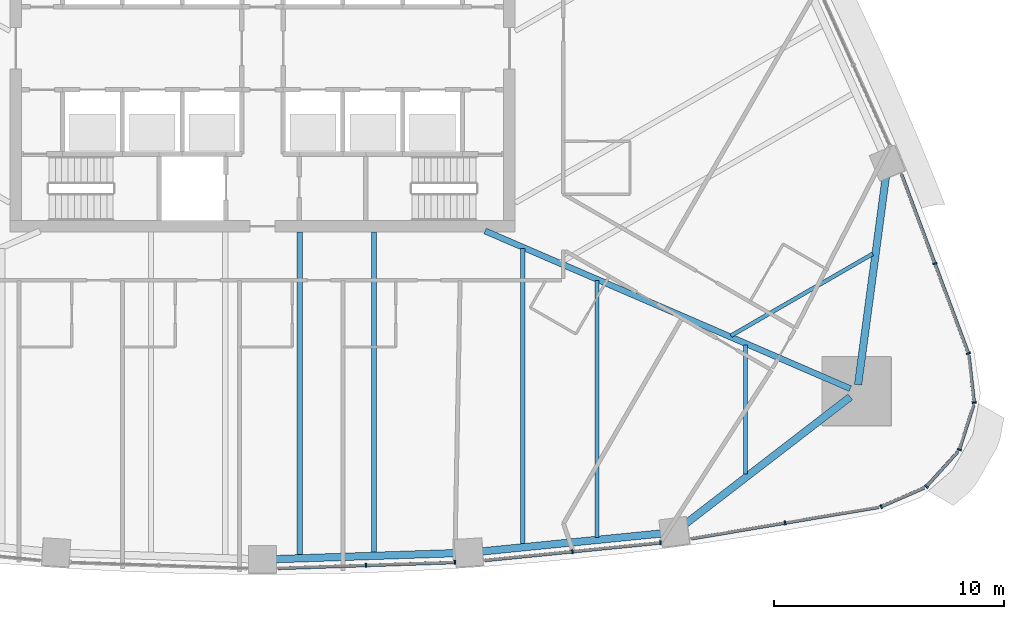
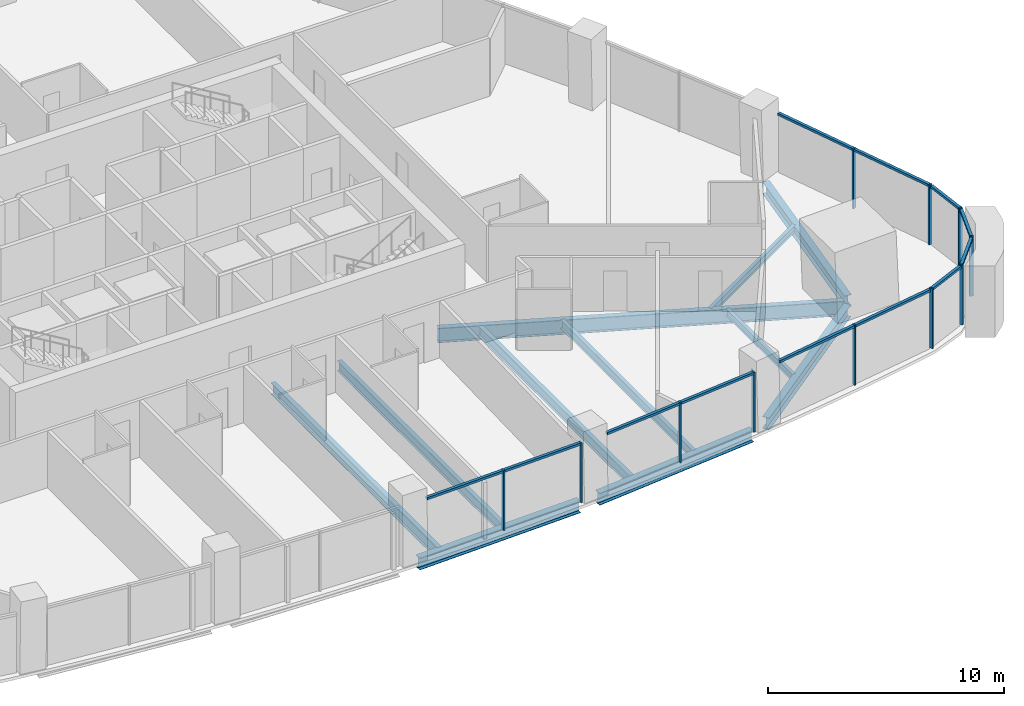
# One storey, part 4 of 17: 23 members, 11 beams, 8 elements without a shape of their own.
"""IFC4 building model written with IfcOpenShell, lengths in metres."""

from ifc_helpers import new_model, si_unit, direction, frame, origin, origin_2d, place, context, subcontext, project, spatial, rectangle, i_section, extrude, material, layer, layer_set, material_profile, profile_set, type_object, element, aggregate, save


model = new_model("IFC4")

# Units and contexts
model_context = context("Model", 3, precision=1e-05, world=origin(), true_north=direction((0.0, 1.0)))
body_context = subcontext(model_context, "Body", "Model", "MODEL_VIEW")
ifc_project = project(units=[si_unit("LENGTHUNIT", "METRE"), si_unit("AREAUNIT", "SQUARE_METRE"), si_unit("VOLUMEUNIT", "CUBIC_METRE"), si_unit("PLANEANGLEUNIT", "RADIAN"), si_unit("MASSUNIT", "GRAM", prefix="KILO")], contexts=[model_context])

# Site, building, storey
site_placement = place(None, origin())
site = spatial("IfcSite", under=ifc_project, at=site_placement, CompositionType="ELEMENT")
building_placement = place(site_placement, origin())
building = spatial("IfcBuilding", under=site, at=building_placement, Name="Sierra Prisma Convention Tower", CompositionType="ELEMENT")
storey_placement = place(building_placement, frame((0.0, 0.0, 92.39990234375)))
storey = spatial("IfcBuildingStorey", under=building, at=storey_placement, Name="L19", CompositionType="ELEMENT", Elevation=92.39990234375)

# Curtain wall, members
ifc_material_1 = material(Name="Aluminium and glass curtain wall", Category="aluminium")
ifc_layer = layer(ifc_material_1, 0.179931640625)
ifc_layer_set = layer_set([ifc_layer], Name="CW-1 Plain shaft curtain wall")
curtain_wall_type = type_object("IfcCurtainWallType", Name="CW-1 Plain shaft curtain wall", PredefinedType="NOTDEFINED", material=ifc_layer_set)
curtain_wall_1_placement = place(storey_placement, origin())
curtain_wall_1 = element("IfcCurtainWall", 1, at=curtain_wall_1_placement, inside=storey, type_object=curtain_wall_type, Name="CW-1 S4 L19", PredefinedType="NOTDEFINED")
ifc_material_2 = material(Name="Aluminium 6063-T6 bronze anodised", Category="aluminium")
ifc_material_profile_1 = material_profile(ifc_material_2, rectangle(XDim=0.179931640625, YDim=0.070068359375, at=origin_2d()), Name="ALU MULLION 70x180")
ifc_profile_set_1 = profile_set([ifc_material_profile_1], Name="Aluminium 6063-T6 bronze anodised")
member_type_1 = type_object("IfcMemberType", Name="CW mullion bronze", PredefinedType="MULLION", material=ifc_profile_set_1)
member_1_placement = place(storey_placement, frame((4.50341796875, -22.505859375, 0.0), z_axis=(0.0, 0.0, 1.0), x_axis=(-0.033231080162, 0.999447695135, 0.0)))
member_1 = element("IfcMember", 2, at=member_1_placement, type_object=member_type_1, Name="CW-1 mullion S4.2", PredefinedType="MULLION", context=body_context, shape_type="SweptSolid", body=[
    extrude(rectangle(XDim=0.179931640625, YDim=0.070068359375, at=origin_2d()), origin(), (0.0, 0.0, 1.0), 3.10009765625),
])
member_2_placement = place(storey_placement, frame((8.3720703125, -22.37744140625, 0.0), z_axis=(0.0, 0.0, 1.0), x_axis=(-0.033231080162, 0.999447695135, 0.0)))
member_2 = element("IfcMember", 3, at=member_2_placement, type_object=member_type_1, Name="CW-1 mullion S4.3", PredefinedType="MULLION", context=body_context, shape_type="SweptSolid", body=[
    extrude(rectangle(XDim=0.179931640625, YDim=0.070068359375, at=origin_2d()), origin(), (0.0, 0.0, 1.0), 3.10009765625),
])

curtain_wall_2_placement = place(storey_placement, origin())
curtain_wall_2 = element("IfcCurtainWall", 4, at=curtain_wall_2_placement, inside=storey, type_object=curtain_wall_type, Name="CW-1 S5 L19", PredefinedType="NOTDEFINED")
member_3_placement = place(storey_placement, frame((13.48681640625, -21.908935546875, 0.0), z_axis=(0.0, 0.0, 1.0), x_axis=(-0.099546451535, 0.995032916032, 0.0)))
member_3 = element("IfcMember", 5, at=member_3_placement, type_object=member_type_1, Name="CW-1 mullion S5.2", PredefinedType="MULLION", context=body_context, shape_type="SweptSolid", body=[
    extrude(rectangle(XDim=0.179931640625, YDim=0.070068359375, at=origin_2d()), origin(), (0.0, 0.0, 1.0), 3.10009765625),
])
member_4_placement = place(storey_placement, frame((17.322509765625, -21.525146484375, 0.0), z_axis=(0.0, 0.0, 1.0), x_axis=(-0.099546451535, 0.995032916032, 0.0)))
member_4 = element("IfcMember", 6, at=member_4_placement, type_object=member_type_1, Name="CW-1 mullion S5.3", PredefinedType="MULLION", context=body_context, shape_type="SweptSolid", body=[
    extrude(rectangle(XDim=0.179931640625, YDim=0.070068359375, at=origin_2d()), origin(), (0.0, 0.0, 1.0), 3.10009765625),
])

# Curtain wall, member
curtain_wall_3_placement = place(storey_placement, origin())
curtain_wall_3 = element("IfcCurtainWall", 7, at=curtain_wall_3_placement, inside=storey, type_object=curtain_wall_type, Name="CW-1 S6 L19", PredefinedType="NOTDEFINED")
member_5_placement = place(storey_placement, frame((22.745361328125, -20.661376953125, 0.0), z_axis=(0.0, 0.0, 1.0), x_axis=(-0.165422104456, 0.98622285887, 0.0)))
member_5 = element("IfcMember", 8, at=member_5_placement, type_object=member_type_1, Name="CW-1 mullion S6.2", PredefinedType="MULLION", context=body_context, shape_type="SweptSolid", body=[
    extrude(rectangle(XDim=0.179931640625, YDim=0.070068359375, at=origin_2d()), origin(), (0.0, 0.0, 1.0), 3.10009765625),
])

curtain_wall_4_placement = place(storey_placement, origin())
curtain_wall_4 = element("IfcCurtainWall", 9, at=curtain_wall_4_placement, inside=storey, type_object=curtain_wall_type, Name="CW-1 SE1 L19", PredefinedType="NOTDEFINED")
member_6_placement = place(storey_placement, frame((26.931640625, -19.95068359375, 0.0), z_axis=(0.0, 0.0, 1.0), x_axis=(-0.399862462379, 0.916575153045, 0.0)))
member_6 = element("IfcMember", 10, at=member_6_placement, type_object=member_type_1, Name="CW-1 mullion SE1.1", PredefinedType="MULLION", context=body_context, shape_type="SweptSolid", body=[
    extrude(rectangle(XDim=0.179931640625, YDim=0.070068359375, at=origin_2d()), origin(), (0.0, 0.0, 1.0), 3.10009765625),
])

curtain_wall_5_placement = place(storey_placement, origin())
curtain_wall_5 = element("IfcCurtainWall", 11, at=curtain_wall_5_placement, inside=storey, type_object=curtain_wall_type, Name="CW-1 SE2 L19", PredefinedType="NOTDEFINED")
member_7_placement = place(storey_placement, frame((28.89794921875, -19.0771484375, 0.0), z_axis=(0.0, 0.0, 1.0), x_axis=(-0.741466941784, 0.6709893995, 0.0)))
member_7 = element("IfcMember", 12, at=member_7_placement, type_object=member_type_1, Name="CW-1 mullion SE2.1", PredefinedType="MULLION", context=body_context, shape_type="SweptSolid", body=[
    extrude(rectangle(XDim=0.179931640625, YDim=0.070068359375, at=origin_2d()), origin(), (0.0, 0.0, 1.0), 3.10009765625),
])

curtain_wall_6_placement = place(storey_placement, origin())
curtain_wall_6 = element("IfcCurtainWall", 13, at=curtain_wall_6_placement, inside=storey, type_object=curtain_wall_type, Name="CW-1 SE3 L19", PredefinedType="NOTDEFINED")
member_8_placement = place(storey_placement, frame((30.3310546875, -17.47216796875, 0.0), z_axis=(0.0, 0.0, 1.0), x_axis=(-0.951827336529, 0.306634507902, 0.0)))
member_8 = element("IfcMember", 14, at=member_8_placement, type_object=member_type_1, Name="CW-1 mullion SE3.1", PredefinedType="MULLION", context=body_context, shape_type="SweptSolid", body=[
    extrude(rectangle(XDim=0.179931640625, YDim=0.070068359375, at=origin_2d()), origin(), (0.0, 0.0, 1.0), 3.10009765625),
])

curtain_wall_7_placement = place(storey_placement, origin())
curtain_wall_7 = element("IfcCurtainWall", 15, at=curtain_wall_7_placement, inside=storey, type_object=curtain_wall_type, Name="CW-1 SE4 L19", PredefinedType="NOTDEFINED")
member_9_placement = place(storey_placement, frame((30.97705078125, -15.419677734375, 0.0), z_axis=(0.0, 0.0, 1.0), x_axis=(-0.993708598204, -0.111996526083, 0.0)))
member_9 = element("IfcMember", 16, at=member_9_placement, type_object=member_type_1, Name="CW-1 mullion SE4.1", PredefinedType="MULLION", context=body_context, shape_type="SweptSolid", body=[
    extrude(rectangle(XDim=0.179931640625, YDim=0.070068359375, at=origin_2d()), origin(), (0.0, 0.0, 1.0), 3.10009765625),
])

# Curtain wall, members
curtain_wall_8_placement = place(storey_placement, origin())
curtain_wall_8 = element("IfcCurtainWall", 17, at=curtain_wall_8_placement, inside=storey, type_object=curtain_wall_type, Name="CW-1 NE1 L19", PredefinedType="NOTDEFINED")
member_10_placement = place(storey_placement, frame((30.727294921875, -13.280517578125, 0.0), z_axis=(0.0, 0.0, 1.0), x_axis=(-0.936805101802, -0.349851684629, 0.0)))
member_10 = element("IfcMember", 18, at=member_10_placement, type_object=member_type_1, Name="CW-1 mullion NE1.1", PredefinedType="MULLION", context=body_context, shape_type="SweptSolid", body=[
    extrude(rectangle(XDim=0.179931640625, YDim=0.070068359375, at=origin_2d()), origin(), (0.0, 0.0, 1.0), 3.10009765625),
])
member_11_placement = place(storey_placement, frame((29.265869140625, -9.3671875, 0.0), z_axis=(0.0, 0.0, 1.0), x_axis=(-0.936805101802, -0.349851684629, 0.0)))
member_11 = element("IfcMember", 19, at=member_11_placement, type_object=member_type_1, Name="CW-1 mullion NE1.2", PredefinedType="MULLION", context=body_context, shape_type="SweptSolid", body=[
    extrude(rectangle(XDim=0.179931640625, YDim=0.070068359375, at=origin_2d()), origin(), (0.0, 0.0, 1.0), 3.10009765625),
])

# Member
ifc_material_3 = material(Name="Aluminium 6063-T6 bronze anodised", Category="aluminium")
ifc_material_profile_2 = material_profile(ifc_material_3, rectangle(XDim=0.139892578125, YDim=0.1201171875, at=origin_2d()), Name="ALU TRANSOM 120x140")
ifc_profile_set_2 = profile_set([ifc_material_profile_2], Name="Aluminium 6063-T6 bronze anodised")
member_type_2 = type_object("IfcMemberType", Name="CW transom bronze", PredefinedType="USERDEFINED", material=ifc_profile_set_2)
member_12_placement = place(storey_placement, frame((0.669677734375, -22.633544921875, 3.0400390625), z_axis=(0.999446260739, 0.033274192626, 0.0), x_axis=(-0.033274192626, 0.999446260739, 0.0)))
member_12 = element("IfcMember", 20, at=member_12_placement, type_object=member_type_2, Name="CW-1 transom S4.1", ObjectType="TRANSOM", PredefinedType="USERDEFINED", context=body_context, shape_type="SweptSolid", body=[
    extrude(rectangle(XDim=0.139892578125, YDim=0.1201171875, at=origin_2d()), origin(), (0.0, 0.0, 1.0), 3.80078125),
])

member_13_placement = place(storey_placement, frame((4.538330078125, -22.5048828125, 3.0400390625), z_axis=(0.999446331852, 0.033272056549, 0.0), x_axis=(-0.033272056549, 0.999446331852, 0.0)))
member_13 = element("IfcMember", 21, at=member_13_placement, type_object=member_type_2, Name="CW-1 transom S4.2", ObjectType="TRANSOM", PredefinedType="USERDEFINED", context=body_context, shape_type="SweptSolid", body=[
    extrude(rectangle(XDim=0.139892578125, YDim=0.1201171875, at=origin_2d()), origin(), (0.0, 0.0, 1.0), 3.801025390625),
])

aggregate(curtain_wall_1, [member_1, member_2, member_12, member_13])

member_14_placement = place(storey_placement, frame((9.686279296875, -22.2890625, 3.0400390625), z_axis=(0.995033996238, 0.099535653562, 0.0), x_axis=(-0.099535653562, 0.995033996238, 0.0)))
member_14 = element("IfcMember", 22, at=member_14_placement, type_object=member_type_2, Name="CW-1 transom S5.1", ObjectType="TRANSOM", PredefinedType="USERDEFINED", context=body_context, shape_type="SweptSolid", body=[
    extrude(rectangle(XDim=0.139892578125, YDim=0.1201171875, at=origin_2d()), origin(), (0.0, 0.0, 1.0), 3.78466796875),
])

member_15_placement = place(storey_placement, frame((13.521728515625, -21.905517578125, 3.0400390625), z_axis=(0.995027605282, 0.099599521722, 0.0), x_axis=(-0.099599521722, 0.995027605282, 0.0)))
member_15 = element("IfcMember", 23, at=member_15_placement, type_object=member_type_2, Name="CW-1 transom S5.2", ObjectType="TRANSOM", PredefinedType="USERDEFINED", context=body_context, shape_type="SweptSolid", body=[
    extrude(rectangle(XDim=0.139892578125, YDim=0.1201171875, at=origin_2d()), origin(), (0.0, 0.0, 1.0), 3.78466796875),
])

aggregate(curtain_wall_2, [member_3, member_4, member_14, member_15])

member_16_placement = place(storey_placement, frame((18.66015625, -21.3466796875, 3.0400390625), z_axis=(0.986221481387, 0.165430316599, 0.0), x_axis=(-0.165430316599, 0.986221481387, 0.0)))
member_16 = element("IfcMember", 24, at=member_16_placement, type_object=member_type_2, Name="CW-1 transom S6.1", ObjectType="TRANSOM", PredefinedType="USERDEFINED", context=body_context, shape_type="SweptSolid", body=[
    extrude(rectangle(XDim=0.139892578125, YDim=0.1201171875, at=origin_2d()), origin(), (0.0, 0.0, 1.0), 4.107177734375),
])

member_17_placement = place(storey_placement, frame((22.77978515625, -20.655517578125, 3.0400390625), z_axis=(0.986223108037, 0.165420618953, 0.0), x_axis=(-0.165420618953, 0.986223108037, 0.0)))
member_17 = element("IfcMember", 25, at=member_17_placement, type_object=member_type_2, Name="CW-1 transom S6.2", ObjectType="TRANSOM", PredefinedType="USERDEFINED", context=body_context, shape_type="SweptSolid", body=[
    extrude(rectangle(XDim=0.139892578125, YDim=0.1201171875, at=origin_2d()), origin(), (0.0, 0.0, 1.0), 4.107421875),
])

aggregate(curtain_wall_3, [member_5, member_16, member_17])

member_18_placement = place(storey_placement, frame((26.963623046875, -19.9365234375, 3.0400390625), z_axis=(0.916612858934, 0.399776020838, 0.0), x_axis=(-0.399776020838, 0.916612858934, 0.0)))
member_18 = element("IfcMember", 26, at=member_18_placement, type_object=member_type_2, Name="CW-1 transom SE1.1", ObjectType="TRANSOM", PredefinedType="USERDEFINED", context=body_context, shape_type="SweptSolid", body=[
    extrude(rectangle(XDim=0.139892578125, YDim=0.1201171875, at=origin_2d()), origin(), (0.0, 0.0, 1.0), 2.0146484375),
])

aggregate(curtain_wall_4, [member_6, member_18])

member_19_placement = place(storey_placement, frame((28.92138671875, -19.051025390625, 3.0400390625), z_axis=(0.671024381323, 0.741435283535, 0.0), x_axis=(-0.741435283535, 0.671024381323, 0.0)))
member_19 = element("IfcMember", 27, at=member_19_placement, type_object=member_type_2, Name="CW-1 transom SE2.1", ObjectType="TRANSOM", PredefinedType="USERDEFINED", context=body_context, shape_type="SweptSolid", body=[
    extrude(rectangle(XDim=0.139892578125, YDim=0.1201171875, at=origin_2d()), origin(), (0.0, 0.0, 1.0), 2.0146484375),
])

aggregate(curtain_wall_5, [member_7, member_19])

member_20_placement = place(storey_placement, frame((30.341796875, -17.438720703125, 3.0400390625), z_axis=(0.306577887358, 0.951845575177, 0.0), x_axis=(-0.951845575177, 0.306577887358, 0.0)))
member_20 = element("IfcMember", 28, at=member_20_placement, type_object=member_type_2, Name="CW-1 transom SE3.1", ObjectType="TRANSOM", PredefinedType="USERDEFINED", context=body_context, shape_type="SweptSolid", body=[
    extrude(rectangle(XDim=0.139892578125, YDim=0.1201171875, at=origin_2d()), origin(), (0.0, 0.0, 1.0), 2.0146484375),
])

aggregate(curtain_wall_6, [member_8, member_20])

member_21_placement = place(storey_placement, frame((30.97314453125, -15.385009765625, 3.0400390625), z_axis=(-0.11196079324, 0.993712624845, 0.0), x_axis=(-0.993712624845, -0.11196079324, 0.0)))
member_21 = element("IfcMember", 29, at=member_21_placement, type_object=member_type_2, Name="CW-1 transom SE4.1", ObjectType="TRANSOM", PredefinedType="USERDEFINED", context=body_context, shape_type="SweptSolid", body=[
    extrude(rectangle(XDim=0.139892578125, YDim=0.1201171875, at=origin_2d()), origin(), (0.0, 0.0, 1.0), 2.014892578125),
])

aggregate(curtain_wall_7, [member_9, member_21])

member_22_placement = place(storey_placement, frame((30.715087890625, -13.247802734375, 3.0400390625), z_axis=(-0.349872414947, 0.936797359763, 0.0), x_axis=(-0.936797359763, -0.349872414947, 0.0)))
member_22 = element("IfcMember", 30, at=member_22_placement, type_object=member_type_2, Name="CW-1 transom NE1.1", ObjectType="TRANSOM", PredefinedType="USERDEFINED", context=body_context, shape_type="SweptSolid", body=[
    extrude(rectangle(XDim=0.139892578125, YDim=0.1201171875, at=origin_2d()), origin(), (0.0, 0.0, 1.0), 4.107177734375),
])

member_23_placement = place(storey_placement, frame((29.253662109375, -9.33447265625, 3.0400390625), z_axis=(-0.349872414947, 0.936797359763, 0.0), x_axis=(-0.936797359763, -0.349872414947, 0.0)))
member_23 = element("IfcMember", 31, at=member_23_placement, type_object=member_type_2, Name="CW-1 transom NE1.2", ObjectType="TRANSOM", PredefinedType="USERDEFINED", context=body_context, shape_type="SweptSolid", body=[
    extrude(rectangle(XDim=0.139892578125, YDim=0.1201171875, at=origin_2d()), origin(), (0.0, 0.0, 1.0), 4.107177734375),
])

aggregate(curtain_wall_8, [member_10, member_11, member_22, member_23])

# Beams
ifc_material_4 = material(Name="Steel ASTM A992 Gr 50", Category="steel")
ifc_material_profile_3 = material_profile(ifc_material_4, i_section(OverallWidth=0.172119140625, OverallDepth=0.35791015625, WebThickness=0.0078125, FlangeThickness=0.01318359375, at=origin_2d()), Name="W360x57")
ifc_profile_set_3 = profile_set([ifc_material_profile_3], Name="Steel ASTM A992 Gr 50")
beam_type_1 = type_object("IfcBeamType", Name="Floor joist W360x57", PredefinedType="JOIST", material=ifc_profile_set_3)
beam_1_placement = place(storey_placement, frame((21.031494140625, -18.52880859375, -0.328857421875), z_axis=(0.0, 1.0, 0.0), x_axis=(-1.0, 0.0, 0.0)))
element("IfcBeam", 32, at=beam_1_placement, inside=storey, type_object=beam_type_1, Name="Floor joist L19 S15", PredefinedType="JOIST", context=body_context, shape_type="SweptSolid", body=[
    extrude(i_section(OverallWidth=0.172119140625, OverallDepth=0.35791015625, WebThickness=0.0078125, FlangeThickness=0.01318359375, at=origin_2d()), origin(), (0.0, 0.0, 1.0), 5.621826171875),
])
beam_2_placement = place(storey_placement, frame((26.562255859375, -8.949462890625, -0.328857421875), z_axis=(-0.866025902152, -0.499999136801, 0.0), x_axis=(0.499999136801, -0.866025902152, 0.0)))
element("IfcBeam", 33, at=beam_2_placement, inside=storey, type_object=beam_type_1, Name="Floor joist L19 NE02", PredefinedType="JOIST", context=body_context, shape_type="SweptSolid", body=[
    extrude(i_section(OverallWidth=0.172119140625, OverallDepth=0.35791015625, WebThickness=0.0078125, FlangeThickness=0.01318359375, at=origin_2d()), origin(), (0.0, 0.0, 1.0), 7.12890625),
])
ifc_material_5 = material(Name="Steel ASTM A992 Gr 50", Category="steel")
ifc_material_profile_4 = material_profile(ifc_material_5, i_section(OverallWidth=0.18994140625, OverallDepth=0.45703125, WebThickness=0.009033203125, FlangeThickness=0.014404296875, at=origin_2d()), Name="W460x74")
ifc_profile_set_4 = profile_set([ifc_material_profile_4], Name="Steel ASTM A992 Gr 50")
beam_type_2 = type_object("IfcBeamType", Name="Floor joist W460x74", PredefinedType="JOIST", material=ifc_profile_set_4)
beam_3_placement = place(storey_placement, frame((14.560302734375, -21.286376953125, -0.37841796875), z_axis=(0.0, 1.0, 0.0), x_axis=(-1.0, 0.0, 0.0)))
element("IfcBeam", 34, at=beam_3_placement, inside=storey, type_object=beam_type_2, Name="Floor joist L19 S13", PredefinedType="JOIST", context=body_context, shape_type="SweptSolid", body=[
    extrude(i_section(OverallWidth=0.18994140625, OverallDepth=0.45703125, WebThickness=0.009033203125, FlangeThickness=0.014404296875, at=origin_2d()), origin(), (0.0, 0.0, 1.0), 11.17333984375),
])
ifc_material_6 = material(Name="Steel ASTM A992 Gr 50", Category="steel")
ifc_material_profile_5 = material_profile(ifc_material_6, i_section(OverallWidth=0.208984375, OverallDepth=0.532958984375, WebThickness=0.01025390625, FlangeThickness=0.015625, at=origin_2d()), Name="W530x92")
ifc_profile_set_5 = profile_set([ifc_material_profile_5], Name="Steel ASTM A992 Gr 50")
beam_type_3 = type_object("IfcBeamType", Name="Floor joist W530x92", PredefinedType="JOIST", material=ifc_profile_set_5)
beam_4_placement = place(storey_placement, frame((4.853515625, -21.981689453125, -0.41650390625), z_axis=(0.0, 1.0, 0.0), x_axis=(-1.0, 0.0, 0.0)))
element("IfcBeam", 35, at=beam_4_placement, inside=storey, type_object=beam_type_3, Name="Floor joist L19 S10", PredefinedType="JOIST", context=body_context, shape_type="SweptSolid", body=[
    extrude(i_section(OverallWidth=0.208984375, OverallDepth=0.532958984375, WebThickness=0.01025390625, FlangeThickness=0.015625, at=origin_2d()), origin(), (0.0, 0.0, 1.0), 13.981689453125),
])
beam_5_placement = place(storey_placement, frame((11.32470703125, -21.610107421875, -0.41650390625), z_axis=(0.0, 1.0, 0.0), x_axis=(-1.0, 0.0, 0.0)))
element("IfcBeam", 36, at=beam_5_placement, inside=storey, type_object=beam_type_3, Name="Floor joist L19 S12", PredefinedType="JOIST", context=body_context, shape_type="SweptSolid", body=[
    extrude(i_section(OverallWidth=0.208984375, OverallDepth=0.532958984375, WebThickness=0.01025390625, FlangeThickness=0.015625, at=origin_2d()), origin(), (0.0, 0.0, 1.0), 12.89404296875),
])
ifc_material_7 = material(Name="Steel ASTM A992 Gr 50", Category="steel")
ifc_material_profile_6 = material_profile(ifc_material_7, i_section(OverallWidth=0.22802734375, OverallDepth=0.60302734375, WebThickness=0.010498046875, FlangeThickness=0.014892578125, at=origin_2d()), Name="W610x101")
ifc_profile_set_6 = profile_set([ifc_material_profile_6], Name="Steel ASTM A992 Gr 50")
beam_type_4 = type_object("IfcBeamType", Name="Floor joist W610x101", PredefinedType="JOIST", material=ifc_profile_set_6)
beam_6_placement = place(storey_placement, frame((1.617919921875, -22.08935546875, -0.451416015625), z_axis=(0.0, 1.0, 0.0), x_axis=(-1.0, 0.0, 0.0)))
element("IfcBeam", 37, at=beam_6_placement, inside=storey, type_object=beam_type_4, Name="Floor joist L19 S09", PredefinedType="JOIST", context=body_context, shape_type="SweptSolid", body=[
    extrude(i_section(OverallWidth=0.22802734375, OverallDepth=0.60302734375, WebThickness=0.010498046875, FlangeThickness=0.014892578125, at=origin_2d()), origin(), (0.0, 0.0, 1.0), 14.08935546875),
])
ifc_material_8 = material(Name="Steel ASTM A992 Gr 50", Category="steel")
ifc_material_profile_7 = material_profile(ifc_material_8, i_section(OverallWidth=0.264892578125, OverallDepth=0.7529296875, WebThickness=0.01318359375, FlangeThickness=0.01708984375, at=origin_2d()), Name="W760x147")
ifc_profile_set_7 = profile_set([ifc_material_profile_7], Name="Steel ASTM A992 Gr 50")
beam_type_5 = type_object("IfcBeamType", Name="Radial girder W760x147", PredefinedType="BEAM", material=ifc_profile_set_7)
beam_7_placement = place(storey_placement, frame((25.5849609375, -14.815185546875, -0.5263671875), z_axis=(-0.918082647967, 0.396389015365, 0.0), x_axis=(-0.396389015365, -0.918082647967, 0.0)))
element("IfcBeam", 38, at=beam_7_placement, inside=storey, type_object=beam_type_5, Name="Radial girder L19 SE", PredefinedType="BEAM", context=body_context, shape_type="SweptSolid", body=[
    extrude(i_section(OverallWidth=0.264892578125, OverallDepth=0.7529296875, WebThickness=0.01318359375, FlangeThickness=0.01708984375, at=origin_2d()), origin(), (0.0, 0.0, 1.0), 17.313232421875),
])
ifc_material_9 = material(Name="Steel ASTM A992 Gr 50", Category="steel")
ifc_material_profile_8 = material_profile(ifc_material_9, i_section(OverallWidth=0.324951171875, OverallDepth=0.615966796875, WebThickness=0.013916015625, FlangeThickness=0.021484375, at=origin_2d()), Name="W610x174")
ifc_profile_set_8 = profile_set([ifc_material_profile_8], Name="Steel ASTM A992 Gr 50")
beam_type_6 = type_object("IfcBeamType", Name="Spandrel beam W610x174", PredefinedType="BEAM", material=ifc_profile_set_8)
for number, where, z_axis, x_axis, name in (
    (39, (0.47998046875, -22.23974609375, -0.4580078125), (0.999447701648, 0.033230884284, 0.0), (-0.033230884284, 0.999447701648, 0.0), "Spandrel L19-04"),
    (40, (9.470947265625, -21.908935546875, -0.4580078125), (0.995033279634, 0.099542817027, 0.0), (-0.099542817027, 0.995033279634, 0.0), "Spandrel L19-05"),
):
    element("IfcBeam", number, at=place(storey_placement, frame(where, z_axis=z_axis, x_axis=x_axis)), inside=storey, type_object=beam_type_6, Name=name, PredefinedType="BEAM", context=body_context, shape_type="SweptSolid", body=[
        extrude(i_section(OverallWidth=0.324951171875, OverallDepth=0.615966796875, WebThickness=0.013916015625, FlangeThickness=0.021484375, at=origin_2d()), origin(), (0.0, 0.0, 1.0), 8.037353515625),
    ])
beam_8_placement = place(storey_placement, frame((18.400146484375, -20.71142578125, -0.4580078125), z_axis=(0.792151446412, 0.610324574262, 0.0), x_axis=(-0.610324574262, 0.792151446412, 0.0)))
element("IfcBeam", 41, at=beam_8_placement, inside=storey, type_object=beam_type_6, Name="Spandrel L19-06", PredefinedType="BEAM", context=body_context, shape_type="SweptSolid", body=[
    extrude(i_section(OverallWidth=0.324951171875, OverallDepth=0.615966796875, WebThickness=0.013916015625, FlangeThickness=0.021484375, at=origin_2d()), origin(), (0.0, 0.0, 1.0), 9.070068359375),
])
beam_9_placement = place(storey_placement, frame((25.925048828125, -14.644775390625, -0.4580078125), z_axis=(0.13247668442, 0.991186121818, 0.0), x_axis=(-0.991186121818, 0.13247668442, 0.0)))
element("IfcBeam", 42, at=beam_9_placement, inside=storey, type_object=beam_type_6, Name="Spandrel L19-07", PredefinedType="BEAM", context=body_context, shape_type="SweptSolid", body=[
    extrude(i_section(OverallWidth=0.324951171875, OverallDepth=0.615966796875, WebThickness=0.013916015625, FlangeThickness=0.021484375, at=origin_2d()), origin(), (0.0, 0.0, 1.0), 9.146240234375),
])

save(model, "model.ifc")
